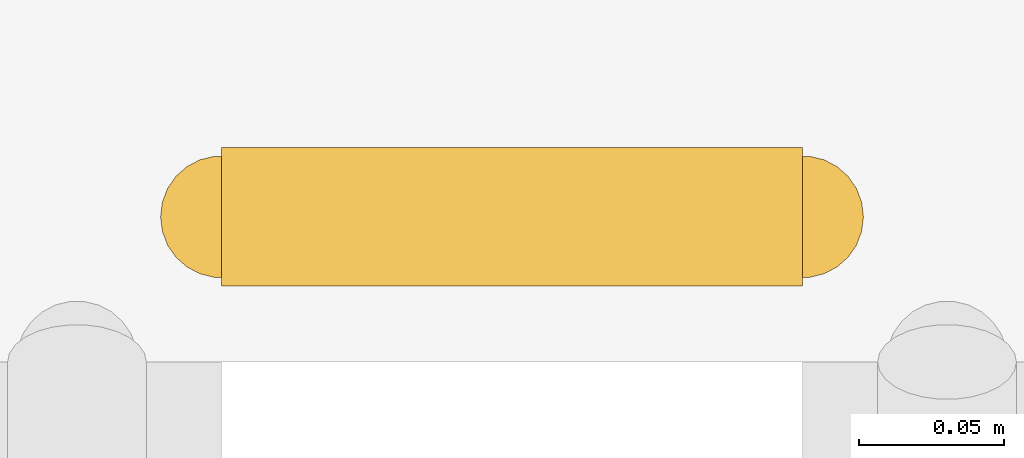
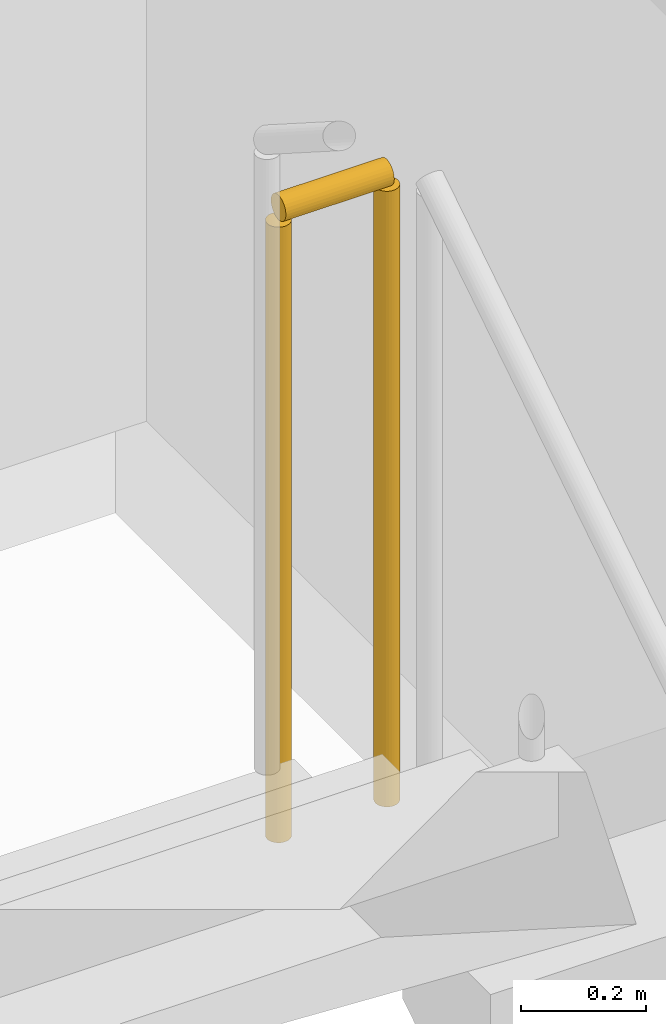
# One storey, part 12 of 12: 1 railing.
"""IFC4 building model written with IfcOpenShell, lengths in metres."""

from ifc_helpers import new_model, si_unit, direction, frame, origin, origin_2d, place, context, subcontext, project, spatial, circle, extrude, material, type_object, element, save


model = new_model("IFC4")

# Units and contexts
model_context = context("Model", 3, precision=1e-05, world=origin(), true_north=direction((0.0, 1.0)))
body_context = subcontext(model_context, "Body", "Model", "MODEL_VIEW")
ifc_project = project(units=[si_unit("LENGTHUNIT", "METRE"), si_unit("AREAUNIT", "SQUARE_METRE"), si_unit("VOLUMEUNIT", "CUBIC_METRE"), si_unit("PLANEANGLEUNIT", "RADIAN"), si_unit("MASSUNIT", "GRAM", prefix="KILO")], contexts=[model_context])

# Site, building, storey
site_placement = place(None, origin())
site = spatial("IfcSite", under=ifc_project, at=site_placement, CompositionType="ELEMENT")
building_placement = place(site_placement, origin())
building = spatial("IfcBuilding", under=site, at=building_placement, Name="Ochreholt Gables", CompositionType="ELEMENT")
storey_placement = place(building_placement, frame((0.0, 0.0, 80.39990234375)))
storey = spatial("IfcBuildingStorey", under=building, at=storey_placement, Name="L20", CompositionType="ELEMENT", Elevation=80.39990234375)

# Railing
ifc_material = material(Name="Painted Steel Stair Guardrail", Category="steel")
railing_type = type_object("IfcRailingType", Name="RL-ST-GUARD", PredefinedType="GUARDRAIL", material=ifc_material)
railing_placement = place(storey_placement, frame((26.60009765625, 35.048095703125, 1.800048828125)))
element("IfcRailing", 1, at=railing_placement, inside=storey, type_object=railing_type, Name="L20 ST-2 stair guard 2", PredefinedType="GUARDRAIL", context=body_context, shape_type="SweptSolid", body=[
    extrude(circle(Radius=0.02392578125, at=origin_2d()), frame((0.0, 0.0, 1.22607421875), z_axis=(-1.0, 0.0, 0.0), x_axis=(0.0, -1.0, 0.0)), (0.0, 0.0, 1.0), 0.2001953125),
    extrude(circle(Radius=0.02099609375, at=origin_2d()), origin(), (0.0, 0.0, 1.0), 1.201904296875),
    extrude(circle(Radius=0.02099609375, at=origin_2d()), frame((-0.2001953125, 0.0, 0.0)), (0.0, 0.0, 1.0), 1.201904296875),
])

save(model, "model.ifc")
